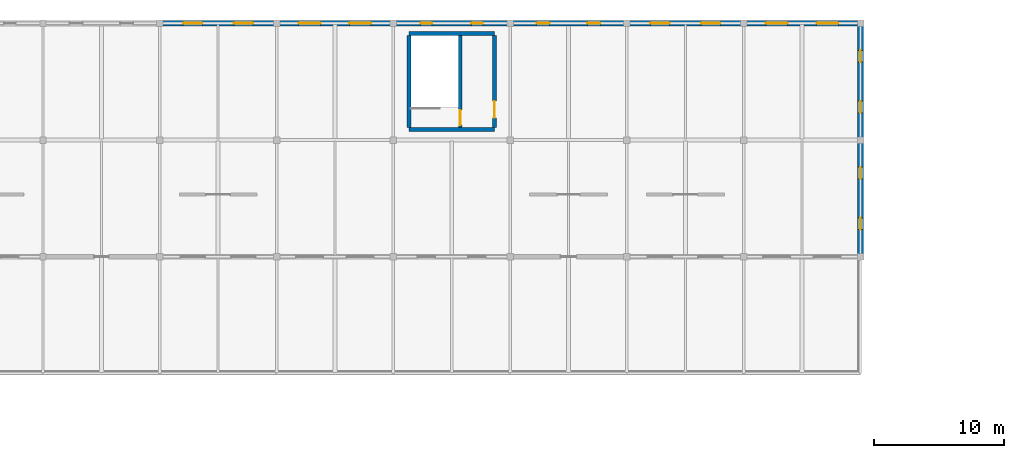
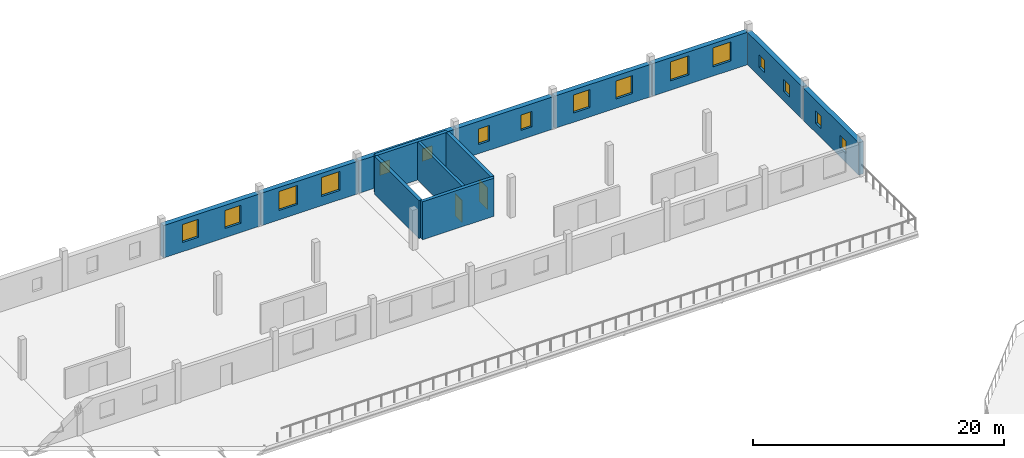
# One storey, part 112 of 123: 16 windows, 13 walls, 2 doors, 18 openings.
"""IFC4 building model written with IfcOpenShell, lengths in metres."""

import ifcopenshell
import ifcopenshell.guid

model = None  # the IFC model being written
_history = None  # IfcOwnerHistory: only IFC2X3 demands one
_inside = {}  # id of a spatial element -> (the spatial element, [elements in it])
_under = {}  # id of a project, library or spatial element -> (it, [spatial elements below it])
_declared = {}  # id of a project -> (the project, [libraries it declares])
_typed = {}  # id of a type object -> (the type object, [elements of that type])
_made_of = {}  # id of a material, layer set ... -> (it, [elements and type objects made of it])


def new_model(schema):
    """Start an empty IFC model of exactly this schema.

    Asked for "IFC4X3", IfcOpenShell would pick the latest addendum, in which some entities
    have other attributes; the version numbers below select the first issue.
    IFC2X3 requires an IfcOwnerHistory on every rooted entity: one is made here for all.
    """
    global model, _history
    if schema == "IFC4X3":
        model = ifcopenshell.file(schema_version=(4, 3, 0, 0))
    else:
        model = ifcopenshell.file(schema=schema)
    _inside.clear()
    _under.clear()
    _declared.clear()
    _typed.clear()
    _made_of.clear()
    _history = None
    if model.schema == "IFC2X3":
        org = make("IfcOrganization", Name="unknown")
        user = make(
            "IfcPersonAndOrganization",
            ThePerson=make("IfcPerson", FamilyName="unknown"),
            TheOrganization=org,
        )
        app = make(
            "IfcApplication",
            ApplicationDeveloper=org,
            Version="unknown",
            ApplicationFullName="unknown",
            ApplicationIdentifier="unknown",
        )
        _history = make(
            "IfcOwnerHistory",
            OwningUser=user,
            OwningApplication=app,
            ChangeAction="ADDED",
            CreationDate=0,
        )
    return model


def make(cls, **values):
    """One entity of the class cls with the attributes given. An attribute that is None is left unset."""
    return model.create_entity(
        cls, **{name: value for name, value in values.items() if value is not None}
    )


def rooted(cls, **values):
    """An entity with a GlobalId (a new one), such as an element, a storey or a relation."""
    return make(cls, GlobalId=ifcopenshell.guid.new(), OwnerHistory=_history, **values)


def si_unit(unit_type, name, prefix=None):
    """IfcSIUnit, for example si_unit("LENGTHUNIT", "METRE", prefix="MILLI")."""
    return make("IfcSIUnit", UnitType=unit_type, Prefix=prefix, Name=name)


def assignment(units):
    """IfcUnitAssignment: the units of a project."""
    return None if units is None else make("IfcUnitAssignment", Units=units)


def point(xyz):
    """IfcCartesianPoint."""
    return None if xyz is None else make("IfcCartesianPoint", Coordinates=xyz)


def direction(xyz):
    """IfcDirection."""
    return None if xyz is None else make("IfcDirection", DirectionRatios=xyz)


def frame(location, z_axis=None, x_axis=None):
    """IfcAxis2Placement3D, a coordinate frame: its origin and axes. An axis left out is left unset."""
    return make(
        "IfcAxis2Placement3D",
        Location=point(location),
        Axis=direction(z_axis),
        RefDirection=direction(x_axis),
    )


def frame_2d(location, x_axis=None):
    """IfcAxis2Placement2D, a coordinate frame in the plane: its origin and x axis."""
    return make(
        "IfcAxis2Placement2D", Location=point(location), RefDirection=direction(x_axis)
    )


def origin():
    """The frame at (0, 0, 0) with its axes left unset."""
    return frame((0.0, 0.0, 0.0))


def place(relative_to, where):
    """IfcLocalPlacement: puts the frame where relative to a parent placement (None: the world)."""
    return make(
        "IfcLocalPlacement", PlacementRelTo=relative_to, RelativePlacement=where
    )


def context(
    kind, dimensions, precision=None, world=None, true_north=None, identifier=None
):
    """IfcGeometricRepresentationContext, for example the 3D "Model" context."""
    return make(
        "IfcGeometricRepresentationContext",
        ContextIdentifier=identifier,
        ContextType=kind,
        CoordinateSpaceDimension=dimensions,
        Precision=precision,
        WorldCoordinateSystem=world,
        TrueNorth=true_north,
    )


def subcontext(parent, identifier, kind, view, scale=None):
    """IfcGeometricRepresentationSubContext, for example "Body" below "Model"."""
    return make(
        "IfcGeometricRepresentationSubContext",
        ContextIdentifier=identifier,
        ContextType=kind,
        ParentContext=parent,
        TargetScale=scale,
        TargetView=view,
    )


def project(units=None, contexts=None):
    """IfcProject with its units and contexts."""
    return rooted(
        "IfcProject",
        Name="project",
        RepresentationContexts=contexts,
        UnitsInContext=assignment(units),
    )


def spatial(cls, under=None, at=None, **own):
    """A site, building, storey or space (cls), placed at a placement, below another one or the project."""
    s = rooted(cls, ObjectPlacement=at, **own)
    if under is not None:
        _under.setdefault(under.id(), (under, []))[1].append(s)
    return s


def profile(cls, at=None, kind="AREA", **sizes):
    """A parametric profile (cls). Its sizes go by their IFC names, for example OverallWidth=200.0."""
    return make(cls, ProfileType=kind, Position=at, **sizes)


def rectangle(**sizes):
    """IfcRectangleProfileDef."""
    return profile("IfcRectangleProfileDef", **sizes)


def extrude(swept, where, along, depth):
    """IfcExtrudedAreaSolid: the profile swept, set in the frame where, extruded along a direction by depth."""
    return make(
        "IfcExtrudedAreaSolid",
        SweptArea=swept,
        Position=where,
        ExtrudedDirection=direction(along),
        Depth=depth,
    )


def shape(context_of_items, identifier, shape_type, items):
    """IfcShapeRepresentation: the items that make up one representation, for example the "Body"."""
    return make(
        "IfcShapeRepresentation",
        ContextOfItems=context_of_items,
        RepresentationIdentifier=identifier,
        RepresentationType=shape_type,
        Items=items,
    )


def material(Name=None, Category=None):
    """IfcMaterial."""
    return make("IfcMaterial", Name=Name, Category=Category)


def layer(
    of_material, thickness, ventilated=None, Name=None, Category=None, Priority=None
):
    """IfcMaterialLayer: one layer of a wall or slab, of a material (None: an air gap)."""
    return make(
        "IfcMaterialLayer",
        Material=of_material,
        LayerThickness=thickness,
        IsVentilated=ventilated,
        Name=Name,
        Category=Category,
        Priority=Priority,
    )


def layer_set(layers, Name=None):
    """IfcMaterialLayerSet."""
    return make("IfcMaterialLayerSet", MaterialLayers=layers, LayerSetName=Name)


def made_of(thing, what):
    """Note that an element or type object is made of a material, layer set ...; save() writes the relation."""
    if what is not None:
        _made_of.setdefault(what.id(), (what, []))[1].append(thing)
    return thing


def type_object(cls, material=None, **own):
    """A type object (cls), such as IfcWallType, which elements share."""
    return made_of(rooted(cls, **own), material)


def element(
    cls,
    number,
    at=None,
    inside=None,
    cuts=None,
    type_object=None,
    material=None,
    context=None,
    identifier="Body",
    shape_type=None,
    held_by="IfcProductDefinitionShape",
    body=None,
    shapes=None,
    **own,
):
    """One element of the class cls, such as IfcWall. Its Tag is "e" and its number.

    at: its placement. inside: the storey or other place that contains it. cuts: it is an
    opening in that element (IfcRelVoidsElement). A single representation is given by context,
    identifier, shape_type and body (its items); several are given by shapes. held_by: the class
    of the entity that holds the representations. save() writes the other relations.
    """
    e = rooted(cls, Tag="e%d" % number, ObjectPlacement=at, **own)
    if body is not None:
        shapes = [shape(context, identifier, shape_type, body)]
    if shapes is not None:
        e.Representation = make(held_by, Representations=shapes)
    if inside is not None:
        _inside.setdefault(inside.id(), (inside, []))[1].append(e)
    if cuts is not None:
        rooted(
            "IfcRelVoidsElement", RelatingBuildingElement=cuts, RelatedOpeningElement=e
        )
    if type_object is not None:
        _typed.setdefault(type_object.id(), (type_object, []))[1].append(e)
    return made_of(e, material)


def fill(opening, filler):
    """IfcRelFillsElement: the door or window that sits in an opening."""
    return rooted(
        "IfcRelFillsElement",
        RelatingOpeningElement=opening,
        RelatedBuildingElement=filler,
    )


def aggregate(whole, parts):
    """IfcRelAggregates: a whole, such as a stair, and the parts it consists of."""
    return rooted("IfcRelAggregates", RelatingObject=whole, RelatedObjects=parts)


def save(model, path):
    """Write the relations noted so far, then the file.

    IfcRelAggregates (storeys below a building ...), IfcRelContainedInSpatialStructure (elements
    in a storey), IfcRelDefinesByType, IfcRelAssociatesMaterial and IfcRelDeclares: one each for
    every whole, place, type object, material and project.
    """
    for whole, parts in _under.values():
        aggregate(whole, parts)
    for where, things in _inside.values():
        rooted(
            "IfcRelContainedInSpatialStructure",
            RelatedElements=things,
            RelatingStructure=where,
        )
    for kind, things in _typed.values():
        rooted("IfcRelDefinesByType", RelatedObjects=things, RelatingType=kind)
    for what, things in _made_of.values():
        rooted("IfcRelAssociatesMaterial", RelatedObjects=things, RelatingMaterial=what)
    for by, libraries in _declared.values():
        rooted("IfcRelDeclares", RelatingContext=by, RelatedDefinitions=libraries)
    model.write(path)


model = new_model("IFC4")

# Units and contexts
model_context = context("Model", 3, precision=1e-05, world=origin(), true_north=direction((0.0, 1.0)))
body_context = subcontext(model_context, "Body", "Model", "MODEL_VIEW")
ifc_project = project(units=[si_unit("LENGTHUNIT", "METRE"), si_unit("AREAUNIT", "SQUARE_METRE"), si_unit("VOLUMEUNIT", "CUBIC_METRE"), si_unit("PLANEANGLEUNIT", "RADIAN"), si_unit("MASSUNIT", "GRAM", prefix="KILO")], contexts=[model_context])

# Site, building, storey
site_placement = place(None, origin())
site = spatial("IfcSite", under=ifc_project, at=site_placement, CompositionType="ELEMENT")
building_placement = place(site_placement, origin())
building = spatial("IfcBuilding", under=site, at=building_placement, Name="Kildeholm Park Wholesale Market", CompositionType="ELEMENT")
storey_placement = place(building_placement, frame((0.0, 0.0, 9.60009765625)))
storey = spatial("IfcBuildingStorey", under=building, at=storey_placement, Name="L02", CompositionType="ELEMENT", Elevation=9.60009765625)

# Wall, openings, windows
ifc_material_1 = material(Name="Precast concrete C40/50 ripening envelope wall", Category="concrete")
ifc_layer_1 = layer(ifc_material_1, 0.449951171875)
ifc_layer_set_1 = layer_set([ifc_layer_1], Name="Precast concrete C40/50 ripening envelope wall")
wall_type_1 = type_object("IfcWallType", Name="Exterior wall W-CS3 450 mm", PredefinedType="SOLIDWALL", material=ifc_layer_set_1)
wall_1_placement = place(storey_placement, frame((126.06005859375, 171.0, 0.0), z_axis=(0.0, 0.0, 1.0), x_axis=(1.0, 0.0, 0.0)))
wall_1 = element("IfcWall", 1, at=wall_1_placement, inside=storey, type_object=wall_type_1, Name="Exterior wall V4N-L02.15 WL-0371", PredefinedType="SOLIDWALL", context=body_context, shape_type="SweptSolid", body=[
    extrude(rectangle(XDim=8.8798828125, YDim=0.449951171875, at=frame_2d((4.43994140625, 0.0))), origin(), (0.0, 0.0, 1.0), 3.14990234375),
])
opening_1_placement = place(wall_1_placement, frame((1.74609375, 0.0, 0.89990234375)))
opening_1 = element("IfcOpeningElement", 2, at=opening_1_placement, cuts=wall_1, Name="Opening WN-37", PredefinedType="OPENING", context=body_context, shape_type="SweptSolid", body=[
    extrude(rectangle(XDim=1.47998046875, YDim=1.75, at=frame_2d((0.739990234375, 0.875))), frame((0.0, 0.23486328125, 0.0), z_axis=(0.0, -1.0, 0.0), x_axis=(1.0, 0.0, 0.0)), (0.0, 0.0, 1.0), 0.469970703125),
])
opening_2_placement = place(wall_1_placement, frame((5.654052734375, 0.0, 0.89990234375)))
opening_2 = element("IfcOpeningElement", 3, at=opening_2_placement, cuts=wall_1, Name="Opening WN-37", PredefinedType="OPENING", context=body_context, shape_type="SweptSolid", body=[
    extrude(rectangle(XDim=1.47998046875, YDim=1.75, at=frame_2d((0.739990234375, 0.875))), frame((0.0, 0.23486328125, 0.0), z_axis=(0.0, -1.0, 0.0), x_axis=(1.0, 0.0, 0.0)), (0.0, 0.0, 1.0), 0.469970703125),
])
ifc_material_2 = material(Name="Thermally broken aluminium and triple-glazed low-E glass", Category="aluminium")
window_type_1 = type_object("IfcWindowType", Name="Window WN-37 1480x1750", PartitioningType="DOUBLE_PANEL_VERTICAL", PredefinedType="WINDOW", material=ifc_material_2)
window_1_placement = place(opening_1_placement, origin())
window_1 = element("IfcWindow", 4, at=window_1_placement, inside=storey, type_object=window_type_1, Name="Window V4N-L02.15.1 WIN-0169", OverallHeight=1.75, OverallWidth=1.47998046875, PartitioningType="SINGLE_PANEL", PredefinedType="WINDOW", context=body_context, shape_type="SweptSolid", body=[
    extrude(rectangle(XDim=1.47998046875, YDim=1.75, at=frame_2d((0.739990234375, 0.875))), frame((0.0, 0.030029296875, 0.0), z_axis=(0.0, -1.0, 0.0), x_axis=(1.0, 0.0, 0.0)), (0.0, 0.0, 1.0), 0.06005859375),
])
fill(opening_1, window_1)
window_2_placement = place(opening_2_placement, origin())
window_2 = element("IfcWindow", 5, at=window_2_placement, inside=storey, type_object=window_type_1, Name="Window V4N-L02.15.2 WIN-0170", OverallHeight=1.75, OverallWidth=1.47998046875, PartitioningType="SINGLE_PANEL", PredefinedType="WINDOW", context=body_context, shape_type="SweptSolid", body=[
    extrude(rectangle(XDim=1.47998046875, YDim=1.75, at=frame_2d((0.739990234375, 0.875))), frame((0.0, 0.030029296875, 0.0), z_axis=(0.0, -1.0, 0.0), x_axis=(1.0, 0.0, 0.0)), (0.0, 0.0, 1.0), 0.06005859375),
])
fill(opening_2, window_2)

wall_2_placement = place(storey_placement, frame((135.06005859375, 171.0, 0.0), z_axis=(0.0, 0.0, 1.0), x_axis=(1.0, 0.0, 0.0)))
wall_2 = element("IfcWall", 6, at=wall_2_placement, inside=storey, type_object=wall_type_1, Name="Exterior wall V4N-L02.16 WL-0372", PredefinedType="SOLIDWALL", context=body_context, shape_type="SweptSolid", body=[
    extrude(rectangle(XDim=8.8798828125, YDim=0.449951171875, at=frame_2d((4.43994140625, 0.0))), origin(), (0.0, 0.0, 1.0), 3.14990234375),
])
opening_3_placement = place(wall_2_placement, frame((1.64599609375, 0.0, 0.89990234375)))
opening_3 = element("IfcOpeningElement", 7, at=opening_3_placement, cuts=wall_2, Name="Opening WN-38", PredefinedType="OPENING", context=body_context, shape_type="SweptSolid", body=[
    extrude(rectangle(XDim=1.679931640625, YDim=1.85009765625, at=frame_2d((0.83984375, 0.925048828125))), frame((0.0, 0.23486328125, 0.0), z_axis=(0.0, -1.0, 0.0), x_axis=(1.0, 0.0, 0.0)), (0.0, 0.0, 1.0), 0.469970703125),
])
opening_4_placement = place(wall_2_placement, frame((5.553955078125, 0.0, 0.89990234375)))
opening_4 = element("IfcOpeningElement", 8, at=opening_4_placement, cuts=wall_2, Name="Opening WN-38", PredefinedType="OPENING", context=body_context, shape_type="SweptSolid", body=[
    extrude(rectangle(XDim=1.679931640625, YDim=1.85009765625, at=frame_2d((0.83984375, 0.925048828125))), frame((0.0, 0.23486328125, 0.0), z_axis=(0.0, -1.0, 0.0), x_axis=(1.0, 0.0, 0.0)), (0.0, 0.0, 1.0), 0.469970703125),
])
window_type_2 = type_object("IfcWindowType", Name="Window WN-38 1680x1850", PartitioningType="DOUBLE_PANEL_VERTICAL", PredefinedType="WINDOW", material=ifc_material_2)
window_3_placement = place(opening_3_placement, origin())
window_3 = element("IfcWindow", 9, at=window_3_placement, inside=storey, type_object=window_type_2, Name="Window V4N-L02.16.1 WIN-0171", OverallHeight=1.85009765625, OverallWidth=1.679931640625, PartitioningType="SINGLE_PANEL", PredefinedType="WINDOW", context=body_context, shape_type="SweptSolid", body=[
    extrude(rectangle(XDim=1.679931640625, YDim=1.85009765625, at=frame_2d((0.83984375, 0.925048828125))), frame((0.0, 0.030029296875, 0.0), z_axis=(0.0, -1.0, 0.0), x_axis=(1.0, 0.0, 0.0)), (0.0, 0.0, 1.0), 0.06005859375),
])
fill(opening_3, window_3)
window_4_placement = place(opening_4_placement, origin())
window_4 = element("IfcWindow", 10, at=window_4_placement, inside=storey, type_object=window_type_2, Name="Window V4N-L02.16.2 WIN-0172", OverallHeight=1.85009765625, OverallWidth=1.679931640625, PartitioningType="SINGLE_PANEL", PredefinedType="WINDOW", context=body_context, shape_type="SweptSolid", body=[
    extrude(rectangle(XDim=1.679931640625, YDim=1.85009765625, at=frame_2d((0.83984375, 0.925048828125))), frame((0.0, 0.030029296875, 0.0), z_axis=(0.0, -1.0, 0.0), x_axis=(1.0, 0.0, 0.0)), (0.0, 0.0, 1.0), 0.06005859375),
])
fill(opening_4, window_4)

wall_3_placement = place(storey_placement, frame((144.06005859375, 171.0, 0.0), z_axis=(0.0, 0.0, 1.0), x_axis=(1.0, 0.0, 0.0)))
wall_3 = element("IfcWall", 11, at=wall_3_placement, inside=storey, type_object=wall_type_1, Name="Exterior wall V4N-L02.17 WL-0373", PredefinedType="SOLIDWALL", context=body_context, shape_type="SweptSolid", body=[
    extrude(rectangle(XDim=8.8798828125, YDim=0.449951171875, at=frame_2d((4.43994140625, 0.0))), origin(), (0.0, 0.0, 1.0), 3.14990234375),
])
opening_5_placement = place(wall_3_placement, frame((2.035888671875, 0.0, 0.89990234375)))
opening_5 = element("IfcOpeningElement", 12, at=opening_5_placement, cuts=wall_3, Name="Opening WN-17", PredefinedType="OPENING", context=body_context, shape_type="SweptSolid", body=[
    extrude(rectangle(XDim=0.89990234375, YDim=1.199951171875, at=frame_2d((0.449951171875, 0.60009765625))), frame((0.0, 0.23486328125, 0.0), z_axis=(0.0, -1.0, 0.0), x_axis=(1.0, 0.0, 0.0)), (0.0, 0.0, 1.0), 0.469970703125),
])
opening_6_placement = place(wall_3_placement, frame((5.944091796875, 0.0, 0.89990234375)))
opening_6 = element("IfcOpeningElement", 13, at=opening_6_placement, cuts=wall_3, Name="Opening WN-17", PredefinedType="OPENING", context=body_context, shape_type="SweptSolid", body=[
    extrude(rectangle(XDim=0.89990234375, YDim=1.199951171875, at=frame_2d((0.449951171875, 0.60009765625))), frame((0.0, 0.23486328125, 0.0), z_axis=(0.0, -1.0, 0.0), x_axis=(1.0, 0.0, 0.0)), (0.0, 0.0, 1.0), 0.469970703125),
])
window_type_3 = type_object("IfcWindowType", Name="Window WN-17 900x1200", PartitioningType="SINGLE_PANEL", PredefinedType="WINDOW", material=ifc_material_2)
window_5_placement = place(opening_5_placement, origin())
window_5 = element("IfcWindow", 14, at=window_5_placement, inside=storey, type_object=window_type_3, Name="Window V4N-L02.17.1 WIN-0173", OverallHeight=1.199951171875, OverallWidth=0.89990234375, PartitioningType="SINGLE_PANEL", PredefinedType="WINDOW", context=body_context, shape_type="SweptSolid", body=[
    extrude(rectangle(XDim=0.89990234375, YDim=1.199951171875, at=frame_2d((0.449951171875, 0.60009765625))), frame((0.0, 0.030029296875, 0.0), z_axis=(0.0, -1.0, 0.0), x_axis=(1.0, 0.0, 0.0)), (0.0, 0.0, 1.0), 0.06005859375),
])
fill(opening_5, window_5)
window_6_placement = place(opening_6_placement, origin())
window_6 = element("IfcWindow", 15, at=window_6_placement, inside=storey, type_object=window_type_3, Name="Window V4N-L02.17.2 WIN-0174", OverallHeight=1.199951171875, OverallWidth=0.89990234375, PartitioningType="SINGLE_PANEL", PredefinedType="WINDOW", context=body_context, shape_type="SweptSolid", body=[
    extrude(rectangle(XDim=0.89990234375, YDim=1.199951171875, at=frame_2d((0.449951171875, 0.60009765625))), frame((0.0, 0.030029296875, 0.0), z_axis=(0.0, -1.0, 0.0), x_axis=(1.0, 0.0, 0.0)), (0.0, 0.0, 1.0), 0.06005859375),
])
fill(opening_6, window_6)

wall_4_placement = place(storey_placement, frame((153.06005859375, 171.0, 0.0), z_axis=(0.0, 0.0, 1.0), x_axis=(1.0, 0.0, 0.0)))
wall_4 = element("IfcWall", 16, at=wall_4_placement, inside=storey, type_object=wall_type_1, Name="Exterior wall V4N-L02.18 WL-0374", PredefinedType="SOLIDWALL", context=body_context, shape_type="SweptSolid", body=[
    extrude(rectangle(XDim=8.8798828125, YDim=0.449951171875, at=frame_2d((4.43994140625, 0.0))), origin(), (0.0, 0.0, 1.0), 3.14990234375),
])
opening_7_placement = place(wall_4_placement, frame((1.986083984375, 0.0, 0.89990234375)))
opening_7 = element("IfcOpeningElement", 17, at=opening_7_placement, cuts=wall_4, Name="Opening WN-09", PredefinedType="OPENING", context=body_context, shape_type="SweptSolid", body=[
    extrude(rectangle(XDim=1.0, YDim=1.5, at=frame_2d((0.5, 0.75))), frame((0.0, 0.23486328125, 0.0), z_axis=(0.0, -1.0, 0.0), x_axis=(1.0, 0.0, 0.0)), (0.0, 0.0, 1.0), 0.469970703125),
])
opening_8_placement = place(wall_4_placement, frame((5.89404296875, 0.0, 0.89990234375)))
opening_8 = element("IfcOpeningElement", 18, at=opening_8_placement, cuts=wall_4, Name="Opening WN-09", PredefinedType="OPENING", context=body_context, shape_type="SweptSolid", body=[
    extrude(rectangle(XDim=1.0, YDim=1.5, at=frame_2d((0.5, 0.75))), frame((0.0, 0.23486328125, 0.0), z_axis=(0.0, -1.0, 0.0), x_axis=(1.0, 0.0, 0.0)), (0.0, 0.0, 1.0), 0.469970703125),
])
window_type_4 = type_object("IfcWindowType", Name="Window WN-09 1000x1500", PartitioningType="SINGLE_PANEL", PredefinedType="WINDOW", material=ifc_material_2)
window_7_placement = place(opening_7_placement, origin())
window_7 = element("IfcWindow", 19, at=window_7_placement, inside=storey, type_object=window_type_4, Name="Window V4N-L02.18.1 WIN-0175", OverallHeight=1.5, OverallWidth=1.0, PartitioningType="SINGLE_PANEL", PredefinedType="WINDOW", context=body_context, shape_type="SweptSolid", body=[
    extrude(rectangle(XDim=1.0, YDim=1.5, at=frame_2d((0.5, 0.75))), frame((0.0, 0.030029296875, 0.0), z_axis=(0.0, -1.0, 0.0), x_axis=(1.0, 0.0, 0.0)), (0.0, 0.0, 1.0), 0.06005859375),
])
fill(opening_7, window_7)
window_8_placement = place(opening_8_placement, origin())
window_8 = element("IfcWindow", 20, at=window_8_placement, inside=storey, type_object=window_type_4, Name="Window V4N-L02.18.2 WIN-0176", OverallHeight=1.5, OverallWidth=1.0, PartitioningType="SINGLE_PANEL", PredefinedType="WINDOW", context=body_context, shape_type="SweptSolid", body=[
    extrude(rectangle(XDim=1.0, YDim=1.5, at=frame_2d((0.5, 0.75))), frame((0.0, 0.030029296875, 0.0), z_axis=(0.0, -1.0, 0.0), x_axis=(1.0, 0.0, 0.0)), (0.0, 0.0, 1.0), 0.06005859375),
])
fill(opening_8, window_8)

wall_5_placement = place(storey_placement, frame((162.06005859375, 171.0, 0.0), z_axis=(0.0, 0.0, 1.0), x_axis=(1.0, 0.0, 0.0)))
wall_5 = element("IfcWall", 21, at=wall_5_placement, inside=storey, type_object=wall_type_1, Name="Exterior wall V4N-L02.19 WL-0375", PredefinedType="SOLIDWALL", context=body_context, shape_type="SweptSolid", body=[
    extrude(rectangle(XDim=8.8798828125, YDim=0.449951171875, at=frame_2d((4.43994140625, 0.0))), origin(), (0.0, 0.0, 1.0), 3.14990234375),
])
opening_9_placement = place(wall_5_placement, frame((1.74609375, 0.0, 0.89990234375)))
opening_9 = element("IfcOpeningElement", 22, at=opening_9_placement, cuts=wall_5, Name="Opening WN-37", PredefinedType="OPENING", context=body_context, shape_type="SweptSolid", body=[
    extrude(rectangle(XDim=1.47998046875, YDim=1.75, at=frame_2d((0.739990234375, 0.875))), frame((0.0, 0.23486328125, 0.0), z_axis=(0.0, -1.0, 0.0), x_axis=(1.0, 0.0, 0.0)), (0.0, 0.0, 1.0), 0.469970703125),
])
opening_10_placement = place(wall_5_placement, frame((5.654052734375, 0.0, 0.89990234375)))
opening_10 = element("IfcOpeningElement", 23, at=opening_10_placement, cuts=wall_5, Name="Opening WN-37", PredefinedType="OPENING", context=body_context, shape_type="SweptSolid", body=[
    extrude(rectangle(XDim=1.47998046875, YDim=1.75, at=frame_2d((0.739990234375, 0.875))), frame((0.0, 0.23486328125, 0.0), z_axis=(0.0, -1.0, 0.0), x_axis=(1.0, 0.0, 0.0)), (0.0, 0.0, 1.0), 0.469970703125),
])
window_9_placement = place(opening_9_placement, origin())
window_9 = element("IfcWindow", 24, at=window_9_placement, inside=storey, type_object=window_type_1, Name="Window V4N-L02.19.1 WIN-0177", OverallHeight=1.75, OverallWidth=1.47998046875, PartitioningType="SINGLE_PANEL", PredefinedType="WINDOW", context=body_context, shape_type="SweptSolid", body=[
    extrude(rectangle(XDim=1.47998046875, YDim=1.75, at=frame_2d((0.739990234375, 0.875))), frame((0.0, 0.030029296875, 0.0), z_axis=(0.0, -1.0, 0.0), x_axis=(1.0, 0.0, 0.0)), (0.0, 0.0, 1.0), 0.06005859375),
])
fill(opening_9, window_9)
window_10_placement = place(opening_10_placement, origin())
window_10 = element("IfcWindow", 25, at=window_10_placement, inside=storey, type_object=window_type_1, Name="Window V4N-L02.19.2 WIN-0178", OverallHeight=1.75, OverallWidth=1.47998046875, PartitioningType="SINGLE_PANEL", PredefinedType="WINDOW", context=body_context, shape_type="SweptSolid", body=[
    extrude(rectangle(XDim=1.47998046875, YDim=1.75, at=frame_2d((0.739990234375, 0.875))), frame((0.0, 0.030029296875, 0.0), z_axis=(0.0, -1.0, 0.0), x_axis=(1.0, 0.0, 0.0)), (0.0, 0.0, 1.0), 0.06005859375),
])
fill(opening_10, window_10)

wall_6_placement = place(storey_placement, frame((171.06005859375, 171.0, 0.0), z_axis=(0.0, 0.0, 1.0), x_axis=(1.0, 0.0, 0.0)))
wall_6 = element("IfcWall", 26, at=wall_6_placement, inside=storey, type_object=wall_type_1, Name="Exterior wall V4N-L02.20 WL-0376", PredefinedType="SOLIDWALL", context=body_context, shape_type="SweptSolid", body=[
    extrude(rectangle(XDim=8.8798828125, YDim=0.449951171875, at=frame_2d((4.43994140625, 0.0))), origin(), (0.0, 0.0, 1.0), 3.14990234375),
])
opening_11_placement = place(wall_6_placement, frame((1.64599609375, 0.0, 0.89990234375)))
opening_11 = element("IfcOpeningElement", 27, at=opening_11_placement, cuts=wall_6, Name="Opening WN-38", PredefinedType="OPENING", context=body_context, shape_type="SweptSolid", body=[
    extrude(rectangle(XDim=1.679931640625, YDim=1.85009765625, at=frame_2d((0.83984375, 0.925048828125))), frame((0.0, 0.23486328125, 0.0), z_axis=(0.0, -1.0, 0.0), x_axis=(1.0, 0.0, 0.0)), (0.0, 0.0, 1.0), 0.469970703125),
])
opening_12_placement = place(wall_6_placement, frame((5.553955078125, 0.0, 0.89990234375)))
opening_12 = element("IfcOpeningElement", 28, at=opening_12_placement, cuts=wall_6, Name="Opening WN-38", PredefinedType="OPENING", context=body_context, shape_type="SweptSolid", body=[
    extrude(rectangle(XDim=1.679931640625, YDim=1.85009765625, at=frame_2d((0.83984375, 0.925048828125))), frame((0.0, 0.23486328125, 0.0), z_axis=(0.0, -1.0, 0.0), x_axis=(1.0, 0.0, 0.0)), (0.0, 0.0, 1.0), 0.469970703125),
])
window_11_placement = place(opening_11_placement, origin())
window_11 = element("IfcWindow", 29, at=window_11_placement, inside=storey, type_object=window_type_2, Name="Window V4N-L02.20.1 WIN-0179", OverallHeight=1.85009765625, OverallWidth=1.679931640625, PartitioningType="SINGLE_PANEL", PredefinedType="WINDOW", context=body_context, shape_type="SweptSolid", body=[
    extrude(rectangle(XDim=1.679931640625, YDim=1.85009765625, at=frame_2d((0.83984375, 0.925048828125))), frame((0.0, 0.030029296875, 0.0), z_axis=(0.0, -1.0, 0.0), x_axis=(1.0, 0.0, 0.0)), (0.0, 0.0, 1.0), 0.06005859375),
])
fill(opening_11, window_11)
window_12_placement = place(opening_12_placement, origin())
window_12 = element("IfcWindow", 30, at=window_12_placement, inside=storey, type_object=window_type_2, Name="Window V4N-L02.20.2 WIN-0180", OverallHeight=1.85009765625, OverallWidth=1.679931640625, PartitioningType="SINGLE_PANEL", PredefinedType="WINDOW", context=body_context, shape_type="SweptSolid", body=[
    extrude(rectangle(XDim=1.679931640625, YDim=1.85009765625, at=frame_2d((0.83984375, 0.925048828125))), frame((0.0, 0.030029296875, 0.0), z_axis=(0.0, -1.0, 0.0), x_axis=(1.0, 0.0, 0.0)), (0.0, 0.0, 1.0), 0.06005859375),
])
fill(opening_12, window_12)

wall_7_placement = place(storey_placement, frame((180.0, 153.06005859375, 0.0), z_axis=(0.0, 0.0, 1.0), x_axis=(0.0, 1.0, 0.0)))
wall_7 = element("IfcWall", 31, at=wall_7_placement, inside=storey, type_object=wall_type_1, Name="Exterior wall V4E-L02.1 WL-0435", PredefinedType="SOLIDWALL", context=body_context, shape_type="SweptSolid", body=[
    extrude(rectangle(XDim=8.8798828125, YDim=0.449951171875, at=frame_2d((4.43994140625, 0.0))), origin(), (0.0, 0.0, 1.0), 3.14990234375),
])
opening_13_placement = place(wall_7_placement, frame((2.035888671875, 0.0, 0.89990234375)))
opening_13 = element("IfcOpeningElement", 32, at=opening_13_placement, cuts=wall_7, Name="Opening WN-17", PredefinedType="OPENING", context=body_context, shape_type="SweptSolid", body=[
    extrude(rectangle(XDim=0.89990234375, YDim=1.199951171875, at=frame_2d((0.449951171875, 0.60009765625))), frame((0.0, 0.23486328125, 0.0), z_axis=(0.0, -1.0, 0.0), x_axis=(1.0, 0.0, 0.0)), (0.0, 0.0, 1.0), 0.469970703125),
])
opening_14_placement = place(wall_7_placement, frame((5.944091796875, 0.0, 0.89990234375)))
opening_14 = element("IfcOpeningElement", 33, at=opening_14_placement, cuts=wall_7, Name="Opening WN-17", PredefinedType="OPENING", context=body_context, shape_type="SweptSolid", body=[
    extrude(rectangle(XDim=0.89990234375, YDim=1.199951171875, at=frame_2d((0.449951171875, 0.60009765625))), frame((0.0, 0.23486328125, 0.0), z_axis=(0.0, -1.0, 0.0), x_axis=(1.0, 0.0, 0.0)), (0.0, 0.0, 1.0), 0.469970703125),
])
window_13_placement = place(opening_13_placement, origin())
window_13 = element("IfcWindow", 34, at=window_13_placement, inside=storey, type_object=window_type_3, Name="Window V4E-L02.1.1 WIN-0229", OverallHeight=1.199951171875, OverallWidth=0.89990234375, PartitioningType="SINGLE_PANEL", PredefinedType="WINDOW", context=body_context, shape_type="SweptSolid", body=[
    extrude(rectangle(XDim=0.89990234375, YDim=1.199951171875, at=frame_2d((0.449951171875, 0.60009765625))), frame((0.0, 0.030029296875, 0.0), z_axis=(0.0, -1.0, 0.0), x_axis=(1.0, 0.0, 0.0)), (0.0, 0.0, 1.0), 0.06005859375),
])
fill(opening_13, window_13)
window_14_placement = place(opening_14_placement, origin())
window_14 = element("IfcWindow", 35, at=window_14_placement, inside=storey, type_object=window_type_3, Name="Window V4E-L02.1.2 WIN-0230", OverallHeight=1.199951171875, OverallWidth=0.89990234375, PartitioningType="SINGLE_PANEL", PredefinedType="WINDOW", context=body_context, shape_type="SweptSolid", body=[
    extrude(rectangle(XDim=0.89990234375, YDim=1.199951171875, at=frame_2d((0.449951171875, 0.60009765625))), frame((0.0, 0.030029296875, 0.0), z_axis=(0.0, -1.0, 0.0), x_axis=(1.0, 0.0, 0.0)), (0.0, 0.0, 1.0), 0.06005859375),
])
fill(opening_14, window_14)

wall_8_placement = place(storey_placement, frame((180.0, 162.06005859375, 0.0), z_axis=(0.0, 0.0, 1.0), x_axis=(0.0, 1.0, 0.0)))
wall_8 = element("IfcWall", 36, at=wall_8_placement, inside=storey, type_object=wall_type_1, Name="Exterior wall V4E-L02.2 WL-0436", PredefinedType="SOLIDWALL", context=body_context, shape_type="SweptSolid", body=[
    extrude(rectangle(XDim=8.8798828125, YDim=0.449951171875, at=frame_2d((4.43994140625, 0.0))), origin(), (0.0, 0.0, 1.0), 3.14990234375),
])
opening_15_placement = place(wall_8_placement, frame((2.035888671875, 0.0, 0.89990234375)))
opening_15 = element("IfcOpeningElement", 37, at=opening_15_placement, cuts=wall_8, Name="Opening WN-17", PredefinedType="OPENING", context=body_context, shape_type="SweptSolid", body=[
    extrude(rectangle(XDim=0.89990234375, YDim=1.199951171875, at=frame_2d((0.449951171875, 0.60009765625))), frame((0.0, 0.23486328125, 0.0), z_axis=(0.0, -1.0, 0.0), x_axis=(1.0, 0.0, 0.0)), (0.0, 0.0, 1.0), 0.469970703125),
])
opening_16_placement = place(wall_8_placement, frame((5.944091796875, 0.0, 0.89990234375)))
opening_16 = element("IfcOpeningElement", 38, at=opening_16_placement, cuts=wall_8, Name="Opening WN-17", PredefinedType="OPENING", context=body_context, shape_type="SweptSolid", body=[
    extrude(rectangle(XDim=0.89990234375, YDim=1.199951171875, at=frame_2d((0.449951171875, 0.60009765625))), frame((0.0, 0.23486328125, 0.0), z_axis=(0.0, -1.0, 0.0), x_axis=(1.0, 0.0, 0.0)), (0.0, 0.0, 1.0), 0.469970703125),
])
window_15_placement = place(opening_15_placement, origin())
window_15 = element("IfcWindow", 39, at=window_15_placement, inside=storey, type_object=window_type_3, Name="Window V4E-L02.2.1 WIN-0231", OverallHeight=1.199951171875, OverallWidth=0.89990234375, PartitioningType="SINGLE_PANEL", PredefinedType="WINDOW", context=body_context, shape_type="SweptSolid", body=[
    extrude(rectangle(XDim=0.89990234375, YDim=1.199951171875, at=frame_2d((0.449951171875, 0.60009765625))), frame((0.0, 0.030029296875, 0.0), z_axis=(0.0, -1.0, 0.0), x_axis=(1.0, 0.0, 0.0)), (0.0, 0.0, 1.0), 0.06005859375),
])
fill(opening_15, window_15)
window_16_placement = place(opening_16_placement, origin())
window_16 = element("IfcWindow", 40, at=window_16_placement, inside=storey, type_object=window_type_3, Name="Window V4E-L02.2.2 WIN-0232", OverallHeight=1.199951171875, OverallWidth=0.89990234375, PartitioningType="SINGLE_PANEL", PredefinedType="WINDOW", context=body_context, shape_type="SweptSolid", body=[
    extrude(rectangle(XDim=0.89990234375, YDim=1.199951171875, at=frame_2d((0.449951171875, 0.60009765625))), frame((0.0, 0.030029296875, 0.0), z_axis=(0.0, -1.0, 0.0), x_axis=(1.0, 0.0, 0.0)), (0.0, 0.0, 1.0), 0.06005859375),
])
fill(opening_16, window_16)

# Walls
ifc_material_3 = material(Name="Concrete C40/50", Category="concrete")
ifc_layer_2 = layer(ifc_material_3, 0.300048828125)
ifc_layer_set_2 = layer_set([ifc_layer_2], Name="Concrete C40/50")
wall_type_2 = type_object("IfcWallType", Name="Shear wall W-SH1 300 mm", PredefinedType="SHEAR", material=ifc_layer_set_2)
for number, where, z_axis, x_axis, name in (
    (41, (145.199951171875, 162.800048828125, 0.0), (0.0, 0.0, 1.0), (1.0, 0.0, 0.0), "Core C03 south shear wall L02 WL-0699"),
    (42, (145.199951171875, 170.199951171875, 0.0), (0.0, 0.0, 1.0), (1.0, 0.0, 0.0), "Core C03 north shear wall L02 WL-0700"),
):
    element("IfcWall", number, at=place(storey_placement, frame(where, z_axis=z_axis, x_axis=x_axis)), inside=storey, type_object=wall_type_2, Name=name, PredefinedType="SHEAR", context=body_context, shape_type="SweptSolid", body=[
        extrude(rectangle(XDim=6.60009765625, YDim=0.300048828125, at=frame_2d((3.300048828125, 0.0))), origin(), (0.0, 0.0, 1.0), 3.699951171875),
    ])
wall_9_placement = place(storey_placement, frame((145.199951171875, 162.949951171875, 0.0), z_axis=(0.0, 0.0, 1.0), x_axis=(0.0, 1.0, 0.0)))
element("IfcWall", 43, at=wall_9_placement, inside=storey, type_object=wall_type_2, Name="Core C03 west shear wall L02 WL-0701", PredefinedType="SHEAR", context=body_context, shape_type="SweptSolid", body=[
    extrude(rectangle(XDim=7.10009765625, YDim=0.300048828125, at=frame_2d((3.550048828125, 0.0))), origin(), (0.0, 0.0, 1.0), 3.699951171875),
])

# Wall, opening, door
wall_10_placement = place(storey_placement, frame((151.800048828125, 162.949951171875, 0.0), z_axis=(0.0, 0.0, 1.0), x_axis=(0.0, 1.0, 0.0)))
wall_10 = element("IfcWall", 44, at=wall_10_placement, inside=storey, type_object=wall_type_2, Name="Core C03 east shear wall L02 WL-0702", PredefinedType="SHEAR", context=body_context, shape_type="SweptSolid", body=[
    extrude(rectangle(XDim=7.10009765625, YDim=0.300048828125, at=frame_2d((3.550048828125, 0.0))), origin(), (0.0, 0.0, 1.0), 3.699951171875),
])
opening_17_placement = place(wall_10_placement, frame((0.75, 0.0, 0.0)))
opening_17 = element("IfcOpeningElement", 45, at=opening_17_placement, cuts=wall_10, Name="Opening D-CR02", PredefinedType="OPENING", context=body_context, shape_type="SweptSolid", body=[
    extrude(rectangle(XDim=1.300048828125, YDim=2.14990234375, at=frame_2d((0.64990234375, 1.074951171875))), frame((0.0, 0.159912109375, 0.0), z_axis=(0.0, -1.0, 0.0), x_axis=(1.0, 0.0, 0.0)), (0.0, 0.0, 1.0), 0.320068359375),
])
ifc_material_4 = material(Name="Painted steel core lobby double-leaf doorset", Category="steel")
door_type_1 = type_object("IfcDoorType", Name="Interior door D-CR02 1300x2150", OperationType="NOTDEFINED", PredefinedType="DOOR", material=ifc_material_4)
door_1_placement = place(opening_17_placement, frame((1.300048828125, 0.0, 0.0), z_axis=(0.0, 0.0, 1.0), x_axis=(-1.0, 0.0, 0.0)))
door_1 = element("IfcDoor", 46, at=door_1_placement, inside=storey, type_object=door_type_1, Name="Core C03 lobby entrance door L02 DR-0100 WL-0702", OperationType="DOUBLE_DOOR_SINGLE_SWING", OverallHeight=2.14990234375, OverallWidth=1.300048828125, PredefinedType="DOOR", context=body_context, shape_type="SweptSolid", body=[
    extrude(rectangle(XDim=1.300048828125, YDim=2.14990234375, at=frame_2d((0.64990234375, 1.074951171875))), frame((0.0, 0.02490234375, 0.0), z_axis=(0.0, -1.0, 0.0), x_axis=(1.0, 0.0, 0.0)), (0.0, 0.0, 1.0), 0.050048828125),
])
fill(opening_17, door_1)

ifc_layer_3 = layer(ifc_material_3, 0.25)
ifc_layer_set_3 = layer_set([ifc_layer_3], Name="Concrete C40/50")
wall_type_3 = type_object("IfcWallType", Name="Shear wall W-SH2 250 mm", PredefinedType="SHEAR", material=ifc_layer_set_3)
wall_11_placement = place(storey_placement, frame((149.14990234375, 162.949951171875, 0.0), z_axis=(0.0, 0.0, 1.0), x_axis=(0.0, 1.0, 0.0)))
wall_11 = element("IfcWall", 47, at=wall_11_placement, inside=storey, type_object=wall_type_3, Name="Core C03 shaft wall L02 WL-0703", PredefinedType="SHEAR", context=body_context, shape_type="SweptSolid", body=[
    extrude(rectangle(XDim=7.10009765625, YDim=0.25, at=frame_2d((3.550048828125, 0.0))), origin(), (0.0, 0.0, 1.0), 3.699951171875),
])
opening_18_placement = place(wall_11_placement, frame((0.199951171875, 0.0, 0.0)))
opening_18 = element("IfcOpeningElement", 48, at=opening_18_placement, cuts=wall_11, Name="Opening D-CR01", PredefinedType="OPENING", context=body_context, shape_type="SweptSolid", body=[
    extrude(rectangle(XDim=1.14990234375, YDim=2.14990234375, at=frame_2d((0.574951171875, 1.074951171875))), frame((0.0, 0.135009765625, 0.0), z_axis=(0.0, -1.0, 0.0), x_axis=(1.0, 0.0, 0.0)), (0.0, 0.0, 1.0), 0.27001953125),
])
ifc_material_5 = material(Name="Painted steel fire escape doorset", Category="steel")
door_type_2 = type_object("IfcDoorType", Name="Interior door D-CR01 1150x2150", OperationType="NOTDEFINED", PredefinedType="DOOR", material=ifc_material_5)
door_2_placement = place(opening_18_placement, frame((1.14990234375, 0.0, 0.0), z_axis=(0.0, 0.0, 1.0), x_axis=(-1.0, 0.0, 0.0)))
door_2 = element("IfcDoor", 49, at=door_2_placement, inside=storey, type_object=door_type_2, Name="Core C03 stair fire door L02 DR-0101 WL-0703", OperationType="SINGLE_SWING_RIGHT", OverallHeight=2.14990234375, OverallWidth=1.14990234375, PredefinedType="DOOR", context=body_context, shape_type="SweptSolid", body=[
    extrude(rectangle(XDim=1.14990234375, YDim=2.14990234375, at=frame_2d((0.574951171875, 1.074951171875))), frame((0.0, 0.02490234375, 0.0), z_axis=(0.0, -1.0, 0.0), x_axis=(1.0, 0.0, 0.0)), (0.0, 0.0, 1.0), 0.050048828125),
])
fill(opening_18, door_2)

save(model, "model.ifc")
